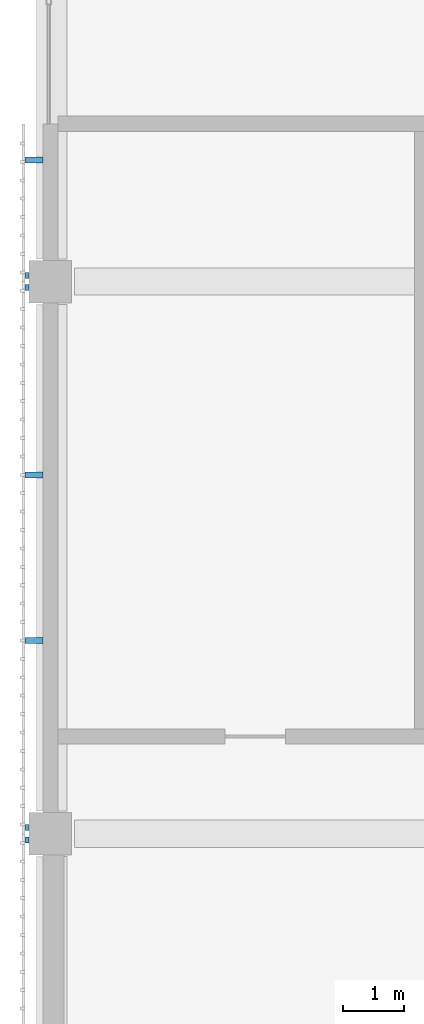
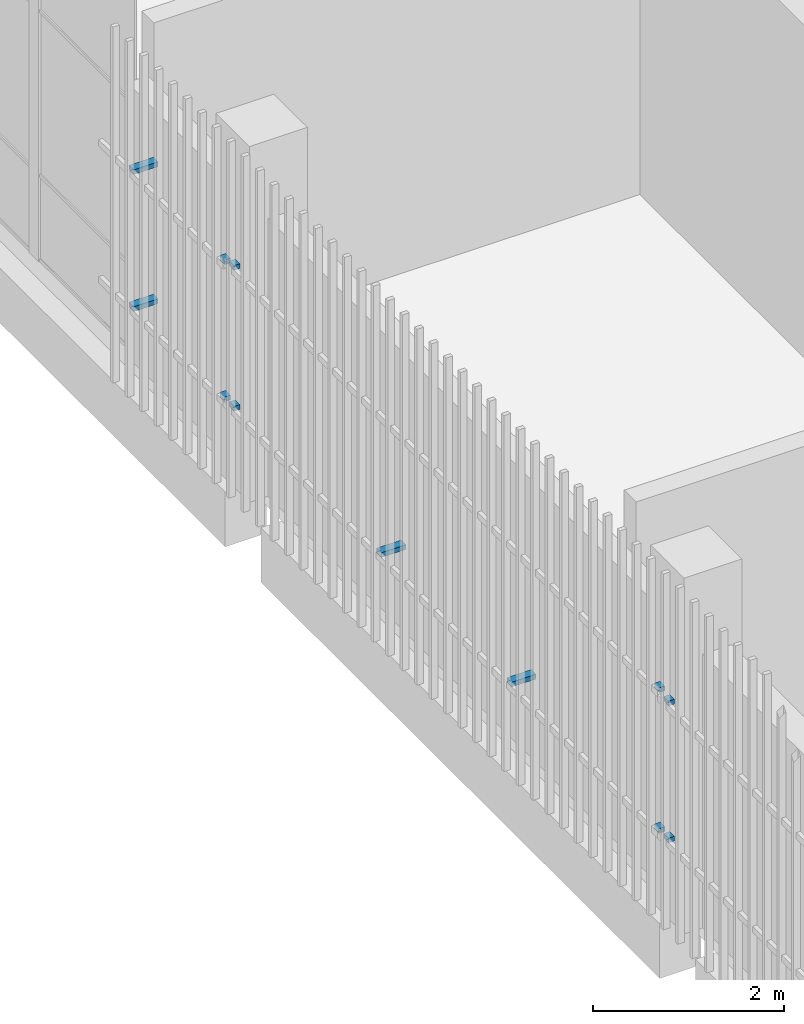
# One storey, part 94 of 126: 12 discrete accessories.
"""IFC4 building model written with IfcOpenShell, lengths in metres."""

from ifc_helpers import new_model, si_unit, direction, frame, origin, origin_2d, place, context, subcontext, project, spatial, rectangle, extrude, material, type_object, element, save


model = new_model("IFC4")

# Units and contexts
model_context = context("Model", 3, precision=1e-05, world=origin(), true_north=direction((0.0, 1.0)))
body_context = subcontext(model_context, "Body", "Model", "MODEL_VIEW")
ifc_project = project(units=[si_unit("LENGTHUNIT", "METRE"), si_unit("AREAUNIT", "SQUARE_METRE"), si_unit("VOLUMEUNIT", "CUBIC_METRE"), si_unit("PLANEANGLEUNIT", "RADIAN"), si_unit("MASSUNIT", "GRAM", prefix="KILO")], contexts=[model_context])

# Site, building, storey
site_placement = place(None, origin())
site = spatial("IfcSite", under=ifc_project, at=site_placement, CompositionType="ELEMENT")
building_placement = place(site_placement, origin())
building = spatial("IfcBuilding", under=site, at=building_placement, Name="Shirokan Park Arena", CompositionType="ELEMENT")
storey_placement = place(building_placement, frame((0.0, 0.0, 6.3701171875)))
storey = spatial("IfcBuildingStorey", under=building, at=storey_placement, Name="L01", CompositionType="ELEMENT", Elevation=6.3701171875)

# Discrete accessories
ifc_material = material(Name="Steel S355", Category="steel")
discrete_accessory_type = type_object("IfcDiscreteAccessoryType", Name="Veil bracket 100x60", PredefinedType="BRACKET", material=ifc_material)
discrete_accessory_1_placement = place(storey_placement, frame((-0.297607421875, 29.300048828125, 1.06982421875), z_axis=(0.0, 0.0, 1.0), x_axis=(0.0, -1.0, 0.0)))
element("IfcDiscreteAccessory", 1, at=discrete_accessory_1_placement, inside=storey, type_object=discrete_accessory_type, Name="Veil bracket west bay 9 L01 1", PredefinedType="BRACKET", context=body_context, shape_type="SweptSolid", body=[
    extrude(rectangle(XDim=0.10009765625, YDim=0.294921875, at=origin_2d()), origin(), (0.0, 0.0, 1.0), 0.06005859375),
])
discrete_accessory_2_placement = place(storey_placement, frame((-0.409912109375, 27.39990234375, 1.06982421875), z_axis=(0.0, 0.0, 1.0), x_axis=(0.0, -1.0, 0.0)))
element("IfcDiscreteAccessory", 2, at=discrete_accessory_2_placement, inside=storey, type_object=discrete_accessory_type, Name="Veil bracket west bay 9 L01 2", PredefinedType="BRACKET", context=body_context, shape_type="SweptSolid", body=[
    extrude(rectangle(XDim=0.10009765625, YDim=0.070068359375, at=origin_2d()), origin(), (0.0, 0.0, 1.0), 0.06005859375),
])
discrete_accessory_3_placement = place(storey_placement, frame((-0.297607421875, 29.300048828125, 2.81982421875), z_axis=(0.0, 0.0, 1.0), x_axis=(0.0, -1.0, 0.0)))
element("IfcDiscreteAccessory", 3, at=discrete_accessory_3_placement, inside=storey, type_object=discrete_accessory_type, Name="Veil bracket west bay 9 L01 3", PredefinedType="BRACKET", context=body_context, shape_type="SweptSolid", body=[
    extrude(rectangle(XDim=0.10009765625, YDim=0.294921875, at=origin_2d()), origin(), (0.0, 0.0, 1.0), 0.06005859375),
])
for number, where, z_axis, x_axis, name in (
    (4, (-0.409912109375, 27.39990234375, 2.81982421875), (0.0, 0.0, 1.0), (0.0, -1.0, 0.0), "Veil bracket west bay 9 L01 4"),
    (5, (-0.409912109375, 27.199951171875, 1.06982421875), (0.0, 0.0, 1.0), (0.0, -1.0, 0.0), "Veil bracket west bay 10 L01 1"),
    (6, (-0.409912109375, 18.300048828125, 1.06982421875), (0.0, 0.0, 1.0), (0.0, -1.0, 0.0), "Veil bracket west bay 10 L01 2"),
    (7, (-0.409912109375, 27.199951171875, 2.869873046875), (0.0, 0.0, 1.0), (0.0, -1.0, 0.0), "Veil bracket west bay 10 L01 3"),
    (8, (-0.409912109375, 18.300048828125, 2.869873046875), (0.0, 0.0, 1.0), (0.0, -1.0, 0.0), "Veil bracket west bay 10 L01 4"),
):
    element("IfcDiscreteAccessory", number, at=place(storey_placement, frame(where, z_axis=z_axis, x_axis=x_axis)), inside=storey, type_object=discrete_accessory_type, Name=name, PredefinedType="BRACKET", context=body_context, shape_type="SweptSolid", body=[
        extrude(rectangle(XDim=0.10009765625, YDim=0.070068359375, at=origin_2d()), origin(), (0.0, 0.0, 1.0), 0.06005859375),
    ])
for number, where, z_axis, x_axis, name in (
    (9, (-0.297607421875, 24.114990234375, 1.06982421875), (0.0, 0.0, 1.0), (0.0, -1.0, 0.0), "Veil bracket west bay 10 L01 wall 1"),
    (10, (-0.297607421875, 21.385009765625, 1.06982421875), (0.0, 0.0, 1.0), (0.0, -1.0, 0.0), "Veil bracket west bay 10 L01 wall 2"),
):
    element("IfcDiscreteAccessory", number, at=place(storey_placement, frame(where, z_axis=z_axis, x_axis=x_axis)), inside=storey, type_object=discrete_accessory_type, Name=name, PredefinedType="BRACKET", context=body_context, shape_type="SweptSolid", body=[
        extrude(rectangle(XDim=0.10009765625, YDim=0.294921875, at=origin_2d()), origin(), (0.0, 0.0, 1.0), 0.06005859375),
    ])
for number, where, z_axis, x_axis, name in (
    (11, (-0.409912109375, 18.10009765625, 1.06982421875), (0.0, 0.0, 1.0), (0.0, -1.0, 0.0), "Veil bracket west bay 11 L01 1"),
    (12, (-0.409912109375, 18.10009765625, 2.81982421875), (0.0, 0.0, 1.0), (0.0, -1.0, 0.0), "Veil bracket west bay 11 L01 3"),
):
    element("IfcDiscreteAccessory", number, at=place(storey_placement, frame(where, z_axis=z_axis, x_axis=x_axis)), inside=storey, type_object=discrete_accessory_type, Name=name, PredefinedType="BRACKET", context=body_context, shape_type="SweptSolid", body=[
        extrude(rectangle(XDim=0.10009765625, YDim=0.070068359375, at=origin_2d()), origin(), (0.0, 0.0, 1.0), 0.06005859375),
    ])

save(model, "model.ifc")
